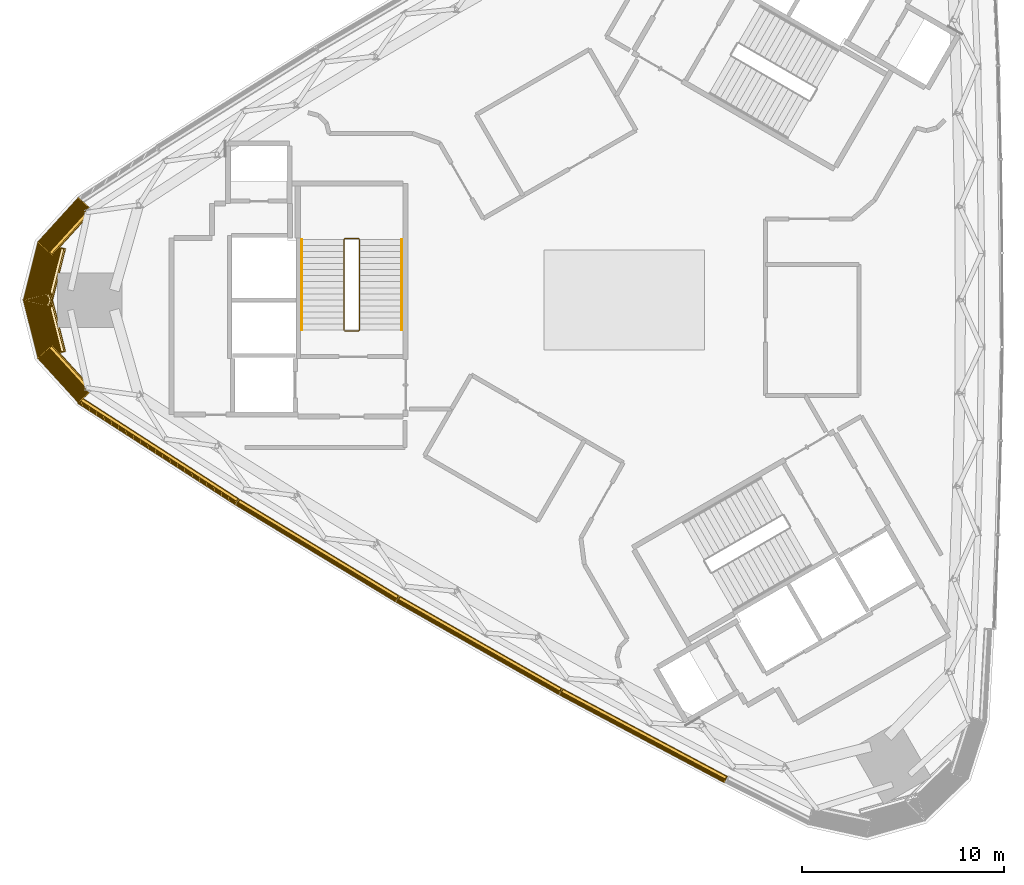
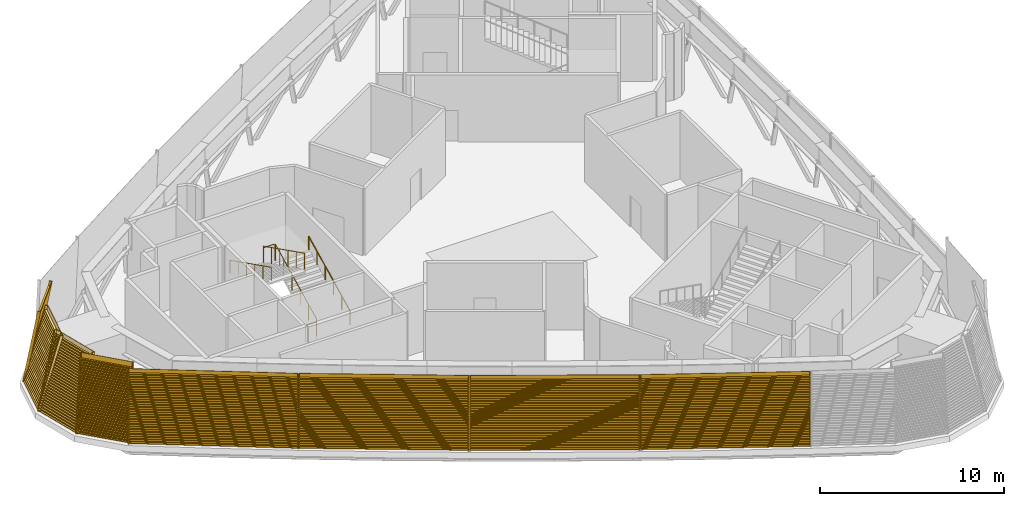
# One storey, part 15 of 18: 8 coverings, 3 railings.
"""IFC4 building model written with IfcOpenShell, lengths in metres."""

from ifc_helpers import new_model, si_unit, direction, frame, frame_2d, origin, origin_2d, place, context, subcontext, project, spatial, rectangle, circle, extrude, source, transform, mapped, material, type_object, element, save


model = new_model("IFC4")

# Units and contexts
model_context = context("Model", 3, precision=1e-05, world=origin(), true_north=direction((0.0, 1.0)))
body_context = subcontext(model_context, "Body", "Model", "MODEL_VIEW")
ifc_project = project(units=[si_unit("LENGTHUNIT", "METRE"), si_unit("AREAUNIT", "SQUARE_METRE"), si_unit("VOLUMEUNIT", "CUBIC_METRE"), si_unit("PLANEANGLEUNIT", "RADIAN"), si_unit("MASSUNIT", "GRAM", prefix="KILO")], contexts=[model_context])

# Site, building, storey
site_placement = place(None, origin())
site = spatial("IfcSite", under=ifc_project, at=site_placement, CompositionType="ELEMENT")
building_placement = place(site_placement, origin())
building = spatial("IfcBuilding", under=site, at=building_placement, Name="Tamra Quay Hotel Tower", CompositionType="ELEMENT")
storey_placement = place(building_placement, frame((0.0, 0.0, 211.60009765625)))
storey = spatial("IfcBuildingStorey", under=building, at=storey_placement, Name="L53", CompositionType="ELEMENT", Elevation=211.60009765625)

# Railings
ifc_material_1 = material(Name="Stair guard 1100")
railing_type_1 = type_object("IfcRailingType", Name="Stair guard 1100", PredefinedType="GUARDRAIL", material=ifc_material_1)
railing_1_placement = place(storey_placement, frame((-13.84130859375, -1.530029296875, 0.0)))
element("IfcRailing", 1, at=railing_1_placement, inside=storey, type_object=railing_type_1, Name="GR", PredefinedType="GUARDRAIL", context=body_context, shape_type="SweptSolid", body=[
    extrude(circle(Radius=0.02392578125, at=origin_2d()), frame((0.0, 0.0, 1.076171875), z_axis=(1.0, 0.0, 0.0), x_axis=(0.0, 1.0, 0.0)), (0.0, 0.0, 1.0), 0.658935546875),
    extrude(circle(Radius=0.02392578125, at=origin_2d()), frame((0.658935546875, 0.0, 1.076171875), z_axis=(0.301912943143, 0.301912943143, 0.904266083366), x_axis=(-0.707106781187, 0.707106781187, 0.0)), (0.0, 0.0, 1.0), 0.165771484375),
    extrude(circle(Radius=0.02392578125, at=origin_2d()), frame((0.708984375, 0.050048828125, 1.22607421875), z_axis=(0.0, 0.893823034308, 0.448419873935), x_axis=(-1.0, 0.0, 0.0)), (0.0, 0.0, 1.0), 5.017578125),
    extrude(circle(Radius=0.02392578125, at=origin_2d()), frame((0.708984375, 4.534912109375, 3.47607421875), z_axis=(-0.707106781187, 0.707106781187, 0.0), x_axis=(-0.707106781187, -0.707106781187, 0.0)), (0.0, 0.0, 1.0), 0.07080078125),
    extrude(circle(Radius=0.02392578125, at=origin_2d()), frame((0.658935546875, 4.5849609375, 3.47607421875), z_axis=(-1.0, 0.0, 0.0), x_axis=(0.0, -1.0, 0.0)), (0.0, 0.0, 1.0), 0.658935546875),
    extrude(circle(Radius=0.02392578125, at=origin_2d()), frame((0.0, 4.5849609375, 3.47607421875), z_axis=(-0.301912943143, -0.301912943143, 0.904266083366), x_axis=(0.707106781187, -0.707106781187, 0.0)), (0.0, 0.0, 1.0), 0.165771484375),
    extrude(circle(Radius=0.02392578125, at=origin_2d()), frame((-0.050048828125, 4.534912109375, 3.6259765625), z_axis=(0.0, -0.893823034308, 0.448419873935), x_axis=(1.0, 0.0, 0.0)), (0.0, 0.0, 1.0), 5.017578125),
    extrude(circle(Radius=0.02099609375, at=origin_2d()), origin(), (0.0, 0.0, 1.0), 1.052001953125),
    extrude(circle(Radius=0.02099609375, at=origin_2d()), frame((0.658935546875, 0.0, 0.0)), (0.0, 0.0, 1.0), 1.052001953125),
    extrude(circle(Radius=0.02099609375, at=origin_2d()), frame((0.708984375, 0.050048828125, 0.14990234375)), (0.0, 0.0, 1.0), 1.052001953125),
    extrude(circle(Radius=0.02099609375, at=origin_2d()), frame((0.708984375, 0.947021484375, 0.599853515625)), (0.0, 0.0, 1.0), 1.052001953125),
    extrude(circle(Radius=0.02099609375, at=origin_2d()), frame((0.708984375, 1.843994140625, 1.0498046875)), (0.0, 0.0, 1.0), 1.052001953125),
    extrude(circle(Radius=0.02099609375, at=origin_2d()), frame((0.708984375, 2.740966796875, 1.5)), (0.0, 0.0, 1.0), 1.052001953125),
    extrude(circle(Radius=0.02099609375, at=origin_2d()), frame((0.708984375, 3.637939453125, 1.949951171875)), (0.0, 0.0, 1.0), 1.052001953125),
    extrude(circle(Radius=0.02099609375, at=origin_2d()), frame((0.708984375, 4.534912109375, 2.39990234375)), (0.0, 0.0, 1.0), 1.052001953125),
    extrude(circle(Radius=0.02099609375, at=origin_2d()), frame((0.658935546875, 4.5849609375, 2.39990234375)), (0.0, 0.0, 1.0), 1.052001953125),
    extrude(circle(Radius=0.02099609375, at=origin_2d()), frame((0.0, 4.5849609375, 2.39990234375)), (0.0, 0.0, 1.0), 1.052001953125),
    extrude(circle(Radius=0.02099609375, at=origin_2d()), frame((-0.050048828125, 4.534912109375, 2.5498046875)), (0.0, 0.0, 1.0), 1.052001953125),
    extrude(circle(Radius=0.02099609375, at=origin_2d()), frame((-0.050048828125, 3.637939453125, 2.999755859375)), (0.0, 0.0, 1.0), 1.052001953125),
    extrude(circle(Radius=0.02099609375, at=origin_2d()), frame((-0.050048828125, 2.740966796875, 3.44970703125)), (0.0, 0.0, 1.0), 1.052001953125),
    extrude(circle(Radius=0.02099609375, at=origin_2d()), frame((-0.050048828125, 1.843994140625, 3.89990234375)), (0.0, 0.0, 1.0), 1.052001953125),
    extrude(circle(Radius=0.02099609375, at=origin_2d()), frame((-0.050048828125, 0.947021484375, 4.349853515625)), (0.0, 0.0, 1.0), 1.052001953125),
    extrude(circle(Radius=0.02099609375, at=origin_2d()), frame((-0.050048828125, 0.050048828125, 4.7998046875)), (0.0, 0.0, 1.0), 1.052001953125),
])
ifc_material_2 = material(Name="Stair handrail 900")
railing_type_2 = type_object("IfcRailingType", Name="Stair handrail 900", PredefinedType="HANDRAIL", material=ifc_material_2)
railing_2_placement = place(storey_placement, frame((-11.0322265625, -1.47998046875, 0.14990234375)))
element("IfcRailing", 2, at=railing_2_placement, inside=storey, type_object=railing_type_2, Name="HR", PredefinedType="HANDRAIL", context=body_context, shape_type="SweptSolid", body=[
    extrude(circle(Radius=0.02392578125, at=origin_2d()), frame((0.0, 0.0, 0.8759765625), z_axis=(0.0, 0.893823034308, 0.448419873935), x_axis=(-1.0, 0.0, 0.0)), (0.0, 0.0, 1.0), 5.017578125),
    extrude(circle(Radius=0.02099609375, at=origin_2d()), origin(), (0.0, 0.0, 1.0), 0.851806640625),
    extrude(circle(Radius=0.02099609375, at=origin_2d()), frame((0.0, 0.89697265625, 0.449951171875)), (0.0, 0.0, 1.0), 0.851806640625),
    extrude(circle(Radius=0.02099609375, at=origin_2d()), frame((0.0, 1.7939453125, 0.89990234375)), (0.0, 0.0, 1.0), 0.851806640625),
    extrude(circle(Radius=0.02099609375, at=origin_2d()), frame((0.0, 2.69091796875, 1.35009765625)), (0.0, 0.0, 1.0), 0.851806640625),
    extrude(circle(Radius=0.02099609375, at=origin_2d()), frame((0.0, 3.587890625, 1.800048828125)), (0.0, 0.0, 1.0), 0.851806640625),
    extrude(circle(Radius=0.02099609375, at=origin_2d()), frame((0.0, 4.48486328125, 2.25)), (0.0, 0.0, 1.0), 0.851806640625),
])
railing_3_placement = place(storey_placement, frame((-15.9912109375, 3.0048828125, 2.5498046875)))
element("IfcRailing", 3, at=railing_3_placement, inside=storey, type_object=railing_type_2, Name="HR", PredefinedType="HANDRAIL", context=body_context, shape_type="SweptSolid", body=[
    extrude(circle(Radius=0.02392578125, at=origin_2d()), frame((0.0, 0.0, 0.8759765625), z_axis=(0.0, -0.893823034308, 0.448419873935), x_axis=(1.0, 0.0, 0.0)), (0.0, 0.0, 1.0), 5.017578125),
    extrude(circle(Radius=0.02099609375, at=origin_2d()), origin(), (0.0, 0.0, 1.0), 0.851806640625),
    extrude(circle(Radius=0.02099609375, at=origin_2d()), frame((0.0, -0.89697265625, 0.449951171875)), (0.0, 0.0, 1.0), 0.851806640625),
    extrude(circle(Radius=0.02099609375, at=origin_2d()), frame((0.0, -1.7939453125, 0.89990234375)), (0.0, 0.0, 1.0), 0.851806640625),
    extrude(circle(Radius=0.02099609375, at=origin_2d()), frame((0.0, -2.69091796875, 1.35009765625)), (0.0, 0.0, 1.0), 0.851806640625),
    extrude(circle(Radius=0.02099609375, at=origin_2d()), frame((0.0, -3.587890625, 1.800048828125)), (0.0, 0.0, 1.0), 0.851806640625),
    extrude(circle(Radius=0.02099609375, at=origin_2d()), frame((0.0, -4.48486328125, 2.25)), (0.0, 0.0, 1.0), 0.851806640625),
])

# Coverings
ifc_material_3 = material(Name="Terracotta louvre panel", Category="masonry")
covering_type_1 = type_object("IfcCoveringType", Name="PLANT LOUVRE H4874", PredefinedType="USERDEFINED", material=ifc_material_3)
shared_shape_1 = source(origin(), body_context, "Body", "SweptSolid", [
    extrude(rectangle(XDim=3.02001953125, YDim=0.030029296875, at=frame_2d((1.510009765625, 0.01513671875))), frame((-1.510009765625, -0.030029296875, 0.0)), (0.0, 0.0, 1.0), 4.8740234375),
    extrude(rectangle(XDim=0.050048828125, YDim=0.139892578125, at=frame_2d((0.02490234375, 0.06982421875))), frame((-1.510009765625, -0.169921875, 0.0)), (0.0, 0.0, 1.0), 4.8740234375),
    extrude(rectangle(XDim=0.050048828125, YDim=0.139892578125, at=frame_2d((0.02490234375, 0.06982421875))), frame((1.4599609375, -0.169921875, 0.0)), (0.0, 0.0, 1.0), 4.8740234375),
    extrude(rectangle(XDim=2.919921875, YDim=0.139892578125, at=frame_2d((1.4599609375, 0.06982421875))), frame((-1.4599609375, -0.169921875, 0.050048828125)), (0.0, 0.0, 1.0), 0.034912109375),
    extrude(rectangle(XDim=2.919921875, YDim=0.139892578125, at=frame_2d((1.4599609375, 0.06982421875))), frame((-1.4599609375, -0.169921875, 0.2099609375)), (0.0, 0.0, 1.0), 0.034912109375),
    extrude(rectangle(XDim=2.919921875, YDim=0.139892578125, at=frame_2d((1.4599609375, 0.06982421875))), frame((-1.4599609375, -0.169921875, 0.3701171875)), (0.0, 0.0, 1.0), 0.034912109375),
    extrude(rectangle(XDim=2.919921875, YDim=0.139892578125, at=frame_2d((1.4599609375, 0.06982421875))), frame((-1.4599609375, -0.169921875, 0.530029296875)), (0.0, 0.0, 1.0), 0.034912109375),
    extrude(rectangle(XDim=2.919921875, YDim=0.139892578125, at=frame_2d((1.4599609375, 0.06982421875))), frame((-1.4599609375, -0.169921875, 0.68994140625)), (0.0, 0.0, 1.0), 0.034912109375),
    extrude(rectangle(XDim=2.919921875, YDim=0.139892578125, at=frame_2d((1.4599609375, 0.06982421875))), frame((-1.4599609375, -0.169921875, 0.85009765625)), (0.0, 0.0, 1.0), 0.034912109375),
    extrude(rectangle(XDim=2.919921875, YDim=0.139892578125, at=frame_2d((1.4599609375, 0.06982421875))), frame((-1.4599609375, -0.169921875, 1.010009765625)), (0.0, 0.0, 1.0), 0.034912109375),
    extrude(rectangle(XDim=2.919921875, YDim=0.139892578125, at=frame_2d((1.4599609375, 0.06982421875))), frame((-1.4599609375, -0.169921875, 1.169921875)), (0.0, 0.0, 1.0), 0.034912109375),
    extrude(rectangle(XDim=2.919921875, YDim=0.139892578125, at=frame_2d((1.4599609375, 0.06982421875))), frame((-1.4599609375, -0.169921875, 1.330078125)), (0.0, 0.0, 1.0), 0.034912109375),
    extrude(rectangle(XDim=2.919921875, YDim=0.139892578125, at=frame_2d((1.4599609375, 0.06982421875))), frame((-1.4599609375, -0.169921875, 1.489990234375)), (0.0, 0.0, 1.0), 0.034912109375),
    extrude(rectangle(XDim=2.919921875, YDim=0.139892578125, at=frame_2d((1.4599609375, 0.06982421875))), frame((-1.4599609375, -0.169921875, 1.64990234375)), (0.0, 0.0, 1.0), 0.034912109375),
    extrude(rectangle(XDim=2.919921875, YDim=0.139892578125, at=frame_2d((1.4599609375, 0.06982421875))), frame((-1.4599609375, -0.169921875, 1.81005859375)), (0.0, 0.0, 1.0), 0.034912109375),
    extrude(rectangle(XDim=2.919921875, YDim=0.139892578125, at=frame_2d((1.4599609375, 0.06982421875))), frame((-1.4599609375, -0.169921875, 1.969970703125)), (0.0, 0.0, 1.0), 0.034912109375),
    extrude(rectangle(XDim=2.919921875, YDim=0.139892578125, at=frame_2d((1.4599609375, 0.06982421875))), frame((-1.4599609375, -0.169921875, 2.1298828125)), (0.0, 0.0, 1.0), 0.034912109375),
    extrude(rectangle(XDim=2.919921875, YDim=0.139892578125, at=frame_2d((1.4599609375, 0.06982421875))), frame((-1.4599609375, -0.169921875, 2.2900390625)), (0.0, 0.0, 1.0), 0.034912109375),
    extrude(rectangle(XDim=2.919921875, YDim=0.139892578125, at=frame_2d((1.4599609375, 0.06982421875))), frame((-1.4599609375, -0.169921875, 2.449951171875)), (0.0, 0.0, 1.0), 0.034912109375),
    extrude(rectangle(XDim=2.919921875, YDim=0.139892578125, at=frame_2d((1.4599609375, 0.06982421875))), frame((-1.4599609375, -0.169921875, 2.610107421875)), (0.0, 0.0, 1.0), 0.034912109375),
    extrude(rectangle(XDim=2.919921875, YDim=0.139892578125, at=frame_2d((1.4599609375, 0.06982421875))), frame((-1.4599609375, -0.169921875, 2.77001953125)), (0.0, 0.0, 1.0), 0.034912109375),
    extrude(rectangle(XDim=2.919921875, YDim=0.139892578125, at=frame_2d((1.4599609375, 0.06982421875))), frame((-1.4599609375, -0.169921875, 2.929931640625)), (0.0, 0.0, 1.0), 0.034912109375),
    extrude(rectangle(XDim=2.919921875, YDim=0.139892578125, at=frame_2d((1.4599609375, 0.06982421875))), frame((-1.4599609375, -0.169921875, 3.090087890625)), (0.0, 0.0, 1.0), 0.034912109375),
    extrude(rectangle(XDim=2.919921875, YDim=0.139892578125, at=frame_2d((1.4599609375, 0.06982421875))), frame((-1.4599609375, -0.169921875, 3.25)), (0.0, 0.0, 1.0), 0.034912109375),
    extrude(rectangle(XDim=2.919921875, YDim=0.139892578125, at=frame_2d((1.4599609375, 0.06982421875))), frame((-1.4599609375, -0.169921875, 3.409912109375)), (0.0, 0.0, 1.0), 0.034912109375),
    extrude(rectangle(XDim=2.919921875, YDim=0.139892578125, at=frame_2d((1.4599609375, 0.06982421875))), frame((-1.4599609375, -0.169921875, 3.570068359375)), (0.0, 0.0, 1.0), 0.034912109375),
    extrude(rectangle(XDim=2.919921875, YDim=0.139892578125, at=frame_2d((1.4599609375, 0.06982421875))), frame((-1.4599609375, -0.169921875, 3.72998046875)), (0.0, 0.0, 1.0), 0.034912109375),
    extrude(rectangle(XDim=2.919921875, YDim=0.139892578125, at=frame_2d((1.4599609375, 0.06982421875))), frame((-1.4599609375, -0.169921875, 3.889892578125)), (0.0, 0.0, 1.0), 0.034912109375),
    extrude(rectangle(XDim=2.919921875, YDim=0.139892578125, at=frame_2d((1.4599609375, 0.06982421875))), frame((-1.4599609375, -0.169921875, 4.050048828125)), (0.0, 0.0, 1.0), 0.034912109375),
    extrude(rectangle(XDim=2.919921875, YDim=0.139892578125, at=frame_2d((1.4599609375, 0.06982421875))), frame((-1.4599609375, -0.169921875, 4.2099609375)), (0.0, 0.0, 1.0), 0.034912109375),
    extrude(rectangle(XDim=2.919921875, YDim=0.139892578125, at=frame_2d((1.4599609375, 0.06982421875))), frame((-1.4599609375, -0.169921875, 4.3701171875)), (0.0, 0.0, 1.0), 0.034912109375),
    extrude(rectangle(XDim=2.919921875, YDim=0.139892578125, at=frame_2d((1.4599609375, 0.06982421875))), frame((-1.4599609375, -0.169921875, 4.530029296875)), (0.0, 0.0, 1.0), 0.034912109375),
])
for number, where, z_axis, x_axis, name in (
    (4, (-27.96875, 3.88134765625, 0.0), (0.128359197406, -0.116951297762, 0.984807753012), (-0.673495681519, -0.739191157262, 0.0), "Plant louvre L53.NW.c00"),
    (5, (-27.96875, -3.88134765625, 0.0), (0.128359197406, 0.116951297762, 0.984807753012), (0.673495681519, -0.739191157262, 0.0), "Plant louvre L53.NW.c03"),
):
    element("IfcCovering", number, at=place(storey_placement, frame(where, z_axis=z_axis, x_axis=x_axis)), inside=storey, type_object=covering_type_1, Name=name, ObjectType="LOUVER", PredefinedType="USERDEFINED", context=body_context, shape_type="MappedRepresentation", body=[
        mapped(shared_shape_1, transform((0.0, 0.0, 0.0), scale=1.0)),
    ])
covering_type_2 = type_object("IfcCoveringType", Name="PLANT LOUVRE H4969", PredefinedType="USERDEFINED", material=ifc_material_3)
shared_shape_2 = source(origin(), body_context, "Body", "SweptSolid", [
    extrude(rectangle(XDim=3.02001953125, YDim=0.030029296875, at=frame_2d((1.510009765625, 0.01513671875))), frame((-1.510009765625, -0.030029296875, 0.0)), (0.0, 0.0, 1.0), 4.968994140625),
    extrude(rectangle(XDim=0.050048828125, YDim=0.139892578125, at=frame_2d((0.02490234375, 0.06982421875))), frame((-1.510009765625, -0.169921875, 0.0)), (0.0, 0.0, 1.0), 4.968994140625),
    extrude(rectangle(XDim=0.050048828125, YDim=0.139892578125, at=frame_2d((0.02490234375, 0.06982421875))), frame((1.4599609375, -0.169921875, 0.0)), (0.0, 0.0, 1.0), 4.968994140625),
    extrude(rectangle(XDim=2.919921875, YDim=0.139892578125, at=frame_2d((1.4599609375, 0.06982421875))), frame((-1.4599609375, -0.169921875, 0.050048828125)), (0.0, 0.0, 1.0), 0.034912109375),
    extrude(rectangle(XDim=2.919921875, YDim=0.139892578125, at=frame_2d((1.4599609375, 0.06982421875))), frame((-1.4599609375, -0.169921875, 0.2099609375)), (0.0, 0.0, 1.0), 0.034912109375),
    extrude(rectangle(XDim=2.919921875, YDim=0.139892578125, at=frame_2d((1.4599609375, 0.06982421875))), frame((-1.4599609375, -0.169921875, 0.3701171875)), (0.0, 0.0, 1.0), 0.034912109375),
    extrude(rectangle(XDim=2.919921875, YDim=0.139892578125, at=frame_2d((1.4599609375, 0.06982421875))), frame((-1.4599609375, -0.169921875, 0.530029296875)), (0.0, 0.0, 1.0), 0.034912109375),
    extrude(rectangle(XDim=2.919921875, YDim=0.139892578125, at=frame_2d((1.4599609375, 0.06982421875))), frame((-1.4599609375, -0.169921875, 0.68994140625)), (0.0, 0.0, 1.0), 0.034912109375),
    extrude(rectangle(XDim=2.919921875, YDim=0.139892578125, at=frame_2d((1.4599609375, 0.06982421875))), frame((-1.4599609375, -0.169921875, 0.85009765625)), (0.0, 0.0, 1.0), 0.034912109375),
    extrude(rectangle(XDim=2.919921875, YDim=0.139892578125, at=frame_2d((1.4599609375, 0.06982421875))), frame((-1.4599609375, -0.169921875, 1.010009765625)), (0.0, 0.0, 1.0), 0.034912109375),
    extrude(rectangle(XDim=2.919921875, YDim=0.139892578125, at=frame_2d((1.4599609375, 0.06982421875))), frame((-1.4599609375, -0.169921875, 1.169921875)), (0.0, 0.0, 1.0), 0.034912109375),
    extrude(rectangle(XDim=2.919921875, YDim=0.139892578125, at=frame_2d((1.4599609375, 0.06982421875))), frame((-1.4599609375, -0.169921875, 1.330078125)), (0.0, 0.0, 1.0), 0.034912109375),
    extrude(rectangle(XDim=2.919921875, YDim=0.139892578125, at=frame_2d((1.4599609375, 0.06982421875))), frame((-1.4599609375, -0.169921875, 1.489990234375)), (0.0, 0.0, 1.0), 0.034912109375),
    extrude(rectangle(XDim=2.919921875, YDim=0.139892578125, at=frame_2d((1.4599609375, 0.06982421875))), frame((-1.4599609375, -0.169921875, 1.64990234375)), (0.0, 0.0, 1.0), 0.034912109375),
    extrude(rectangle(XDim=2.919921875, YDim=0.139892578125, at=frame_2d((1.4599609375, 0.06982421875))), frame((-1.4599609375, -0.169921875, 1.81005859375)), (0.0, 0.0, 1.0), 0.034912109375),
    extrude(rectangle(XDim=2.919921875, YDim=0.139892578125, at=frame_2d((1.4599609375, 0.06982421875))), frame((-1.4599609375, -0.169921875, 1.969970703125)), (0.0, 0.0, 1.0), 0.034912109375),
    extrude(rectangle(XDim=2.919921875, YDim=0.139892578125, at=frame_2d((1.4599609375, 0.06982421875))), frame((-1.4599609375, -0.169921875, 2.1298828125)), (0.0, 0.0, 1.0), 0.034912109375),
    extrude(rectangle(XDim=2.919921875, YDim=0.139892578125, at=frame_2d((1.4599609375, 0.06982421875))), frame((-1.4599609375, -0.169921875, 2.2900390625)), (0.0, 0.0, 1.0), 0.034912109375),
    extrude(rectangle(XDim=2.919921875, YDim=0.139892578125, at=frame_2d((1.4599609375, 0.06982421875))), frame((-1.4599609375, -0.169921875, 2.449951171875)), (0.0, 0.0, 1.0), 0.034912109375),
    extrude(rectangle(XDim=2.919921875, YDim=0.139892578125, at=frame_2d((1.4599609375, 0.06982421875))), frame((-1.4599609375, -0.169921875, 2.610107421875)), (0.0, 0.0, 1.0), 0.034912109375),
    extrude(rectangle(XDim=2.919921875, YDim=0.139892578125, at=frame_2d((1.4599609375, 0.06982421875))), frame((-1.4599609375, -0.169921875, 2.77001953125)), (0.0, 0.0, 1.0), 0.034912109375),
    extrude(rectangle(XDim=2.919921875, YDim=0.139892578125, at=frame_2d((1.4599609375, 0.06982421875))), frame((-1.4599609375, -0.169921875, 2.929931640625)), (0.0, 0.0, 1.0), 0.034912109375),
    extrude(rectangle(XDim=2.919921875, YDim=0.139892578125, at=frame_2d((1.4599609375, 0.06982421875))), frame((-1.4599609375, -0.169921875, 3.090087890625)), (0.0, 0.0, 1.0), 0.034912109375),
    extrude(rectangle(XDim=2.919921875, YDim=0.139892578125, at=frame_2d((1.4599609375, 0.06982421875))), frame((-1.4599609375, -0.169921875, 3.25)), (0.0, 0.0, 1.0), 0.034912109375),
    extrude(rectangle(XDim=2.919921875, YDim=0.139892578125, at=frame_2d((1.4599609375, 0.06982421875))), frame((-1.4599609375, -0.169921875, 3.409912109375)), (0.0, 0.0, 1.0), 0.034912109375),
    extrude(rectangle(XDim=2.919921875, YDim=0.139892578125, at=frame_2d((1.4599609375, 0.06982421875))), frame((-1.4599609375, -0.169921875, 3.570068359375)), (0.0, 0.0, 1.0), 0.034912109375),
    extrude(rectangle(XDim=2.919921875, YDim=0.139892578125, at=frame_2d((1.4599609375, 0.06982421875))), frame((-1.4599609375, -0.169921875, 3.72998046875)), (0.0, 0.0, 1.0), 0.034912109375),
    extrude(rectangle(XDim=2.919921875, YDim=0.139892578125, at=frame_2d((1.4599609375, 0.06982421875))), frame((-1.4599609375, -0.169921875, 3.889892578125)), (0.0, 0.0, 1.0), 0.034912109375),
    extrude(rectangle(XDim=2.919921875, YDim=0.139892578125, at=frame_2d((1.4599609375, 0.06982421875))), frame((-1.4599609375, -0.169921875, 4.050048828125)), (0.0, 0.0, 1.0), 0.034912109375),
    extrude(rectangle(XDim=2.919921875, YDim=0.139892578125, at=frame_2d((1.4599609375, 0.06982421875))), frame((-1.4599609375, -0.169921875, 4.2099609375)), (0.0, 0.0, 1.0), 0.034912109375),
    extrude(rectangle(XDim=2.919921875, YDim=0.139892578125, at=frame_2d((1.4599609375, 0.06982421875))), frame((-1.4599609375, -0.169921875, 4.3701171875)), (0.0, 0.0, 1.0), 0.034912109375),
    extrude(rectangle(XDim=2.919921875, YDim=0.139892578125, at=frame_2d((1.4599609375, 0.06982421875))), frame((-1.4599609375, -0.169921875, 4.530029296875)), (0.0, 0.0, 1.0), 0.034912109375),
    extrude(rectangle(XDim=2.919921875, YDim=0.139892578125, at=frame_2d((1.4599609375, 0.06982421875))), frame((-1.4599609375, -0.169921875, 4.68994140625)), (0.0, 0.0, 1.0), 0.034912109375),
])
for number, where, z_axis, x_axis, name in (
    (6, (-29.2978515625, 1.405029296875, 0.0), (0.251007609098, -0.063106879835, 0.965925826289), (-0.243826260198, -0.969818928892, 0.0), "Plant louvre L53.NW.c01"),
    (7, (-29.2978515625, -1.405029296875, 0.0), (0.251007609098, 0.063106879835, 0.965925826289), (0.243826260198, -0.969818928892, 0.0), "Plant louvre L53.NW.c02"),
):
    element("IfcCovering", number, at=place(storey_placement, frame(where, z_axis=z_axis, x_axis=x_axis)), inside=storey, type_object=covering_type_2, Name=name, ObjectType="LOUVER", PredefinedType="USERDEFINED", context=body_context, shape_type="MappedRepresentation", body=[
        mapped(shared_shape_2, transform((0.0, 0.0, 0.0), scale=1.0)),
    ])
covering_type_3 = type_object("IfcCoveringType", Name="PLANT LOUVRE H4805", PredefinedType="USERDEFINED", material=ifc_material_3)
shared_shape_3 = source(origin(), body_context, "Body", "SweptSolid", [
    extrude(rectangle(XDim=9.280029296875, YDim=0.030029296875, at=frame_2d((4.64013671875, 0.01513671875))), frame((-4.639892578125, -0.030029296875, 0.0)), (0.0, 0.0, 1.0), 4.804931640625),
    extrude(rectangle(XDim=0.050048828125, YDim=0.139892578125, at=frame_2d((0.02490234375, 0.06982421875))), frame((-4.639892578125, -0.169921875, 0.0)), (0.0, 0.0, 1.0), 4.804931640625),
    extrude(rectangle(XDim=0.050048828125, YDim=0.139892578125, at=frame_2d((0.02490234375, 0.06982421875))), frame((4.590087890625, -0.169921875, 0.0)), (0.0, 0.0, 1.0), 4.804931640625),
    extrude(rectangle(XDim=9.179931640625, YDim=0.139892578125, at=frame_2d((4.58984375, 0.06982421875))), frame((-4.590087890625, -0.169921875, 0.050048828125)), (0.0, 0.0, 1.0), 0.034912109375),
    extrude(rectangle(XDim=9.179931640625, YDim=0.139892578125, at=frame_2d((4.58984375, 0.06982421875))), frame((-4.590087890625, -0.169921875, 0.2099609375)), (0.0, 0.0, 1.0), 0.034912109375),
    extrude(rectangle(XDim=9.179931640625, YDim=0.139892578125, at=frame_2d((4.58984375, 0.06982421875))), frame((-4.590087890625, -0.169921875, 0.3701171875)), (0.0, 0.0, 1.0), 0.034912109375),
    extrude(rectangle(XDim=9.179931640625, YDim=0.139892578125, at=frame_2d((4.58984375, 0.06982421875))), frame((-4.590087890625, -0.169921875, 0.530029296875)), (0.0, 0.0, 1.0), 0.034912109375),
    extrude(rectangle(XDim=9.179931640625, YDim=0.139892578125, at=frame_2d((4.58984375, 0.06982421875))), frame((-4.590087890625, -0.169921875, 0.68994140625)), (0.0, 0.0, 1.0), 0.034912109375),
    extrude(rectangle(XDim=9.179931640625, YDim=0.139892578125, at=frame_2d((4.58984375, 0.06982421875))), frame((-4.590087890625, -0.169921875, 0.85009765625)), (0.0, 0.0, 1.0), 0.034912109375),
    extrude(rectangle(XDim=9.179931640625, YDim=0.139892578125, at=frame_2d((4.58984375, 0.06982421875))), frame((-4.590087890625, -0.169921875, 1.010009765625)), (0.0, 0.0, 1.0), 0.034912109375),
    extrude(rectangle(XDim=9.179931640625, YDim=0.139892578125, at=frame_2d((4.58984375, 0.06982421875))), frame((-4.590087890625, -0.169921875, 1.169921875)), (0.0, 0.0, 1.0), 0.034912109375),
    extrude(rectangle(XDim=9.179931640625, YDim=0.139892578125, at=frame_2d((4.58984375, 0.06982421875))), frame((-4.590087890625, -0.169921875, 1.330078125)), (0.0, 0.0, 1.0), 0.034912109375),
    extrude(rectangle(XDim=9.179931640625, YDim=0.139892578125, at=frame_2d((4.58984375, 0.06982421875))), frame((-4.590087890625, -0.169921875, 1.489990234375)), (0.0, 0.0, 1.0), 0.034912109375),
    extrude(rectangle(XDim=9.179931640625, YDim=0.139892578125, at=frame_2d((4.58984375, 0.06982421875))), frame((-4.590087890625, -0.169921875, 1.64990234375)), (0.0, 0.0, 1.0), 0.034912109375),
    extrude(rectangle(XDim=9.179931640625, YDim=0.139892578125, at=frame_2d((4.58984375, 0.06982421875))), frame((-4.590087890625, -0.169921875, 1.81005859375)), (0.0, 0.0, 1.0), 0.034912109375),
    extrude(rectangle(XDim=9.179931640625, YDim=0.139892578125, at=frame_2d((4.58984375, 0.06982421875))), frame((-4.590087890625, -0.169921875, 1.969970703125)), (0.0, 0.0, 1.0), 0.034912109375),
    extrude(rectangle(XDim=9.179931640625, YDim=0.139892578125, at=frame_2d((4.58984375, 0.06982421875))), frame((-4.590087890625, -0.169921875, 2.1298828125)), (0.0, 0.0, 1.0), 0.034912109375),
    extrude(rectangle(XDim=9.179931640625, YDim=0.139892578125, at=frame_2d((4.58984375, 0.06982421875))), frame((-4.590087890625, -0.169921875, 2.2900390625)), (0.0, 0.0, 1.0), 0.034912109375),
    extrude(rectangle(XDim=9.179931640625, YDim=0.139892578125, at=frame_2d((4.58984375, 0.06982421875))), frame((-4.590087890625, -0.169921875, 2.449951171875)), (0.0, 0.0, 1.0), 0.034912109375),
    extrude(rectangle(XDim=9.179931640625, YDim=0.139892578125, at=frame_2d((4.58984375, 0.06982421875))), frame((-4.590087890625, -0.169921875, 2.610107421875)), (0.0, 0.0, 1.0), 0.034912109375),
    extrude(rectangle(XDim=9.179931640625, YDim=0.139892578125, at=frame_2d((4.58984375, 0.06982421875))), frame((-4.590087890625, -0.169921875, 2.77001953125)), (0.0, 0.0, 1.0), 0.034912109375),
    extrude(rectangle(XDim=9.179931640625, YDim=0.139892578125, at=frame_2d((4.58984375, 0.06982421875))), frame((-4.590087890625, -0.169921875, 2.929931640625)), (0.0, 0.0, 1.0), 0.034912109375),
    extrude(rectangle(XDim=9.179931640625, YDim=0.139892578125, at=frame_2d((4.58984375, 0.06982421875))), frame((-4.590087890625, -0.169921875, 3.090087890625)), (0.0, 0.0, 1.0), 0.034912109375),
    extrude(rectangle(XDim=9.179931640625, YDim=0.139892578125, at=frame_2d((4.58984375, 0.06982421875))), frame((-4.590087890625, -0.169921875, 3.25)), (0.0, 0.0, 1.0), 0.034912109375),
    extrude(rectangle(XDim=9.179931640625, YDim=0.139892578125, at=frame_2d((4.58984375, 0.06982421875))), frame((-4.590087890625, -0.169921875, 3.409912109375)), (0.0, 0.0, 1.0), 0.034912109375),
    extrude(rectangle(XDim=9.179931640625, YDim=0.139892578125, at=frame_2d((4.58984375, 0.06982421875))), frame((-4.590087890625, -0.169921875, 3.570068359375)), (0.0, 0.0, 1.0), 0.034912109375),
    extrude(rectangle(XDim=9.179931640625, YDim=0.139892578125, at=frame_2d((4.58984375, 0.06982421875))), frame((-4.590087890625, -0.169921875, 3.72998046875)), (0.0, 0.0, 1.0), 0.034912109375),
    extrude(rectangle(XDim=9.179931640625, YDim=0.139892578125, at=frame_2d((4.58984375, 0.06982421875))), frame((-4.590087890625, -0.169921875, 3.889892578125)), (0.0, 0.0, 1.0), 0.034912109375),
    extrude(rectangle(XDim=9.179931640625, YDim=0.139892578125, at=frame_2d((4.58984375, 0.06982421875))), frame((-4.590087890625, -0.169921875, 4.050048828125)), (0.0, 0.0, 1.0), 0.034912109375),
    extrude(rectangle(XDim=9.179931640625, YDim=0.139892578125, at=frame_2d((4.58984375, 0.06982421875))), frame((-4.590087890625, -0.169921875, 4.2099609375)), (0.0, 0.0, 1.0), 0.034912109375),
    extrude(rectangle(XDim=9.179931640625, YDim=0.139892578125, at=frame_2d((4.58984375, 0.06982421875))), frame((-4.590087890625, -0.169921875, 4.3701171875)), (0.0, 0.0, 1.0), 0.034912109375),
    extrude(rectangle(XDim=9.179931640625, YDim=0.139892578125, at=frame_2d((4.58984375, 0.06982421875))), frame((-4.590087890625, -0.169921875, 4.530029296875)), (0.0, 0.0, 1.0), 0.034912109375),
])
for number, where, z_axis, x_axis, name in (
    (8, (-23.10791015625, -7.50341796875, 0.0), (0.023616502431, 0.036673038694, 0.999048221582), (0.840750888744, -0.541422148675, 0.0), "Plant louvre L53.SW.f00"),
    (9, (-15.224365234375, -12.42724609375, 0.0), (0.022591448964, 0.037313233414, 0.999048221582), (0.855427727626, -0.51792219764, 0.0), "Plant louvre L53.SW.f02"),
    (10, (-7.20703125, -17.130615234375, 0.0), (0.021546892847, 0.037926011691, 0.999048221582), (0.869476028468, -0.493975136945, 0.0), "Plant louvre L53.SW.f04"),
    (11, (0.93798828125, -21.609619140625, 0.0), (0.020486591058, 0.03850909686, 0.999048221582), (0.88284359744, -0.469667097485, 0.0), "Plant louvre L53.SW.f06"),
):
    element("IfcCovering", number, at=place(storey_placement, frame(where, z_axis=z_axis, x_axis=x_axis)), inside=storey, type_object=covering_type_3, Name=name, ObjectType="LOUVER", PredefinedType="USERDEFINED", context=body_context, shape_type="MappedRepresentation", body=[
        mapped(shared_shape_3, transform((0.0, 0.0, 0.0), scale=1.0)),
    ])

save(model, "model.ifc")
